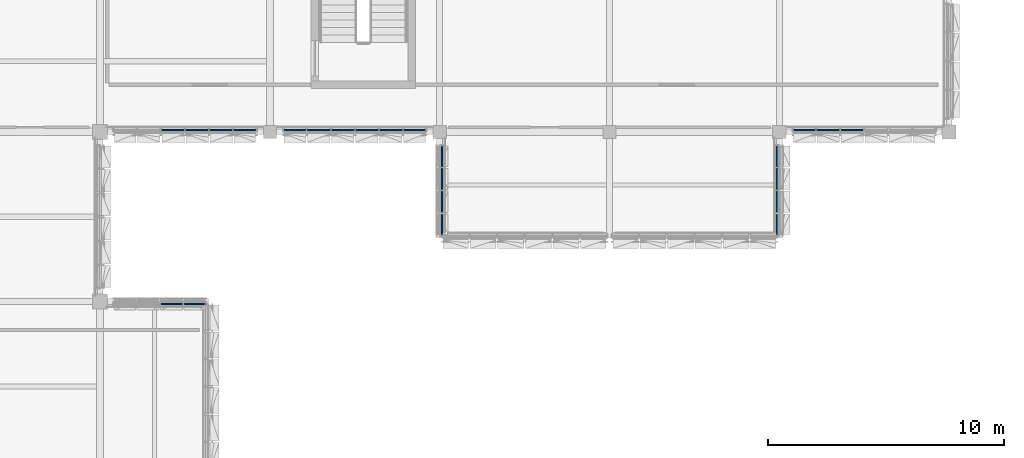
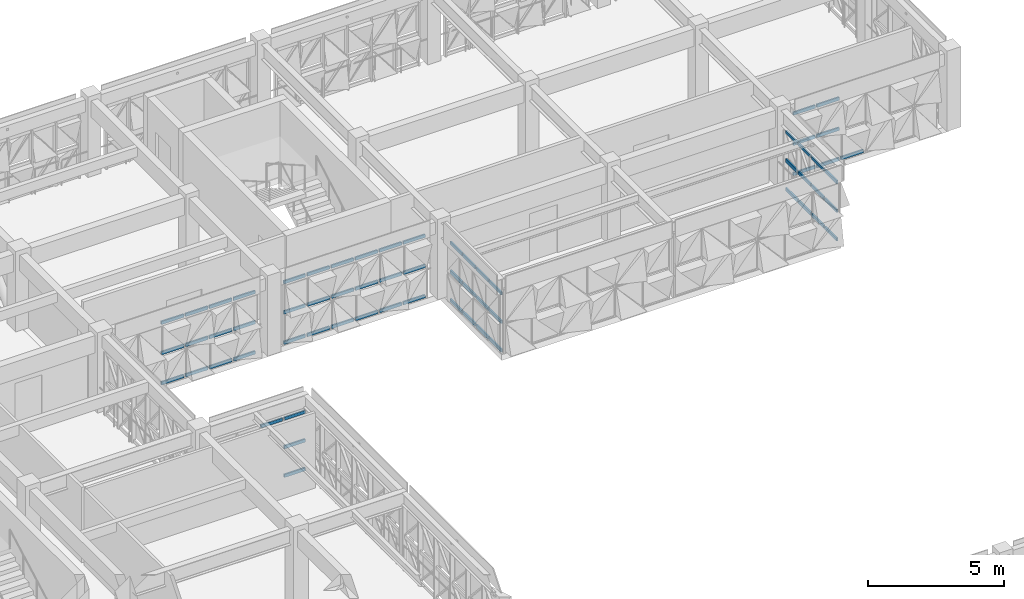
# One storey, part 25 of 85: 65 members, 6 elements without a shape of their own.
"""IFC4 building model written with IfcOpenShell, lengths in metres."""

from ifc_helpers import new_model, si_unit, direction, frame, origin, origin_2d, place, context, subcontext, project, spatial, rectangle, extrude, material, material_profile, profile_set, type_object, element, aggregate, save


model = new_model("IFC4")

# Units and contexts
model_context = context("Model", 3, precision=1e-05, world=origin(), true_north=direction((0.0, 1.0)))
body_context = subcontext(model_context, "Body", "Model", "MODEL_VIEW")
ifc_project = project(units=[si_unit("LENGTHUNIT", "METRE"), si_unit("AREAUNIT", "SQUARE_METRE"), si_unit("VOLUMEUNIT", "CUBIC_METRE"), si_unit("PLANEANGLEUNIT", "RADIAN"), si_unit("MASSUNIT", "GRAM", prefix="KILO")], contexts=[model_context])

# Site, building, storey
site_placement = place(None, origin())
site = spatial("IfcSite", under=ifc_project, at=site_placement, CompositionType="ELEMENT")
building_placement = place(site_placement, origin())
building = spatial("IfcBuilding", under=site, at=building_placement, Name="Alvorim Cloister Faculty of Sciences", CompositionType="ELEMENT")
storey_placement = place(building_placement, frame((0.0, 0.0, 8.550048828125)))
storey = spatial("IfcBuildingStorey", under=building, at=storey_placement, Name="L02", CompositionType="ELEMENT", Elevation=8.550048828125)

# Curtain wall, members
ifc_material_1 = material(Name="Aluminium and Low-E Glass Curtain Wall", Category="aluminium")
curtain_wall_type_1 = type_object("IfcCurtainWallType", Name="CW-TRI-6120x2850", PredefinedType="USERDEFINED", material=ifc_material_1)
curtain_wall_1_placement = place(storey_placement, origin())
curtain_wall_1 = element("IfcCurtainWall", 1, at=curtain_wall_1_placement, inside=storey, type_object=curtain_wall_type_1, Name="L02 Diagonal Cassette Curtain Wall CW-0063", ObjectType="UNITISED CURTAIN WALL", PredefinedType="USERDEFINED")
ifc_material_2 = material(Name="Aluminium Alloy 6063-T6", Category="aluminium")
ifc_material_profile = material_profile(ifc_material_2, rectangle(XDim=0.06494140625, YDim=0.139892578125, at=origin_2d()), Name="ALU-TRN-65x140")
ifc_profile_set = profile_set([ifc_material_profile], Name="Aluminium Alloy 6063-T6")
member_type = type_object("IfcMemberType", Name="CW-TRN-65x140", PredefinedType="USERDEFINED", material=ifc_profile_set)
member_1_placement = place(storey_placement, frame((58.205078125, 43.2900390625, 0.070068359375), z_axis=(1.0, 0.0, 0.0), x_axis=(0.0, 1.0, 0.0)))
member_1 = element("IfcMember", 2, at=member_1_placement, type_object=member_type, Name="CW-0063 Transom 1.1", ObjectType="TRANSOM", PredefinedType="USERDEFINED", context=body_context, shape_type="SweptSolid", body=[
    extrude(rectangle(XDim=0.06494140625, YDim=0.139892578125, at=origin_2d()), origin(), (0.0, 0.0, 1.0), 0.92236328125),
])
member_2_placement = place(storey_placement, frame((58.205078125, 43.2900390625, 1.425048828125), z_axis=(1.0, 0.0, 0.0), x_axis=(0.0, 1.0, 0.0)))
member_2 = element("IfcMember", 3, at=member_2_placement, type_object=member_type, Name="CW-0063 Transom 1.2", ObjectType="TRANSOM", PredefinedType="USERDEFINED", context=body_context, shape_type="SweptSolid", body=[
    extrude(rectangle(XDim=0.06494140625, YDim=0.139892578125, at=origin_2d()), origin(), (0.0, 0.0, 1.0), 0.92236328125),
])
member_3_placement = place(storey_placement, frame((58.205078125, 43.2900390625, 2.780029296875), z_axis=(1.0, 0.0, 0.0), x_axis=(0.0, 1.0, 0.0)))
member_3 = element("IfcMember", 4, at=member_3_placement, type_object=member_type, Name="CW-0063 Transom 1.3", ObjectType="TRANSOM", PredefinedType="USERDEFINED", context=body_context, shape_type="SweptSolid", body=[
    extrude(rectangle(XDim=0.06494140625, YDim=0.139892578125, at=origin_2d()), origin(), (0.0, 0.0, 1.0), 0.92236328125),
])
member_4_placement = place(storey_placement, frame((59.1923828125, 43.2900390625, 0.070068359375), z_axis=(1.0, 0.0, 0.0), x_axis=(0.0, 1.0, 0.0)))
member_4 = element("IfcMember", 5, at=member_4_placement, type_object=member_type, Name="CW-0063 Transom 2.1", ObjectType="TRANSOM", PredefinedType="USERDEFINED", context=body_context, shape_type="SweptSolid", body=[
    extrude(rectangle(XDim=0.06494140625, YDim=0.139892578125, at=origin_2d()), origin(), (0.0, 0.0, 1.0), 0.955078125),
])
member_5_placement = place(storey_placement, frame((59.1923828125, 43.2900390625, 1.425048828125), z_axis=(1.0, 0.0, 0.0), x_axis=(0.0, 1.0, 0.0)))
member_5 = element("IfcMember", 6, at=member_5_placement, type_object=member_type, Name="CW-0063 Transom 2.2", ObjectType="TRANSOM", PredefinedType="USERDEFINED", context=body_context, shape_type="SweptSolid", body=[
    extrude(rectangle(XDim=0.06494140625, YDim=0.139892578125, at=origin_2d()), origin(), (0.0, 0.0, 1.0), 0.955078125),
])
member_6_placement = place(storey_placement, frame((59.1923828125, 43.2900390625, 2.780029296875), z_axis=(1.0, 0.0, 0.0), x_axis=(0.0, 1.0, 0.0)))
member_6 = element("IfcMember", 7, at=member_6_placement, type_object=member_type, Name="CW-0063 Transom 2.3", ObjectType="TRANSOM", PredefinedType="USERDEFINED", context=body_context, shape_type="SweptSolid", body=[
    extrude(rectangle(XDim=0.06494140625, YDim=0.139892578125, at=origin_2d()), origin(), (0.0, 0.0, 1.0), 0.955078125),
])
member_7_placement = place(storey_placement, frame((60.21240234375, 43.2900390625, 0.070068359375), z_axis=(1.0, 0.0, 0.0), x_axis=(0.0, 1.0, 0.0)))
member_7 = element("IfcMember", 8, at=member_7_placement, type_object=member_type, Name="CW-0063 Transom 3.1", ObjectType="TRANSOM", PredefinedType="USERDEFINED", context=body_context, shape_type="SweptSolid", body=[
    extrude(rectangle(XDim=0.06494140625, YDim=0.139892578125, at=origin_2d()), origin(), (0.0, 0.0, 1.0), 0.955078125),
])
aggregate(curtain_wall_1, [member_1, member_2, member_3, member_4, member_5, member_6, member_7])

curtain_wall_type_2 = type_object("IfcCurtainWallType", Name="CW-TRI-3880x2706", PredefinedType="USERDEFINED", material=ifc_material_1)
curtain_wall_2_placement = place(storey_placement, origin())
curtain_wall_2 = element("IfcCurtainWall", 9, at=curtain_wall_2_placement, inside=storey, type_object=curtain_wall_type_2, Name="L02 Diagonal Cassette Curtain Wall CW-0064", ObjectType="UNITISED CURTAIN WALL", PredefinedType="USERDEFINED")
member_8_placement = place(storey_placement, frame((57.510009765625, 38.844970703125, 0.070068359375), z_axis=(0.0, 1.0, 0.0), x_axis=(-1.0, 0.0, 0.0)))
member_8 = element("IfcMember", 10, at=member_8_placement, type_object=member_type, Name="CW-0064 Transom 1.1", ObjectType="TRANSOM", PredefinedType="USERDEFINED", context=body_context, shape_type="SweptSolid", body=[
    extrude(rectangle(XDim=0.06494140625, YDim=0.139892578125, at=origin_2d()), origin(), (0.0, 0.0, 1.0), 0.87255859375),
])
member_9_placement = place(storey_placement, frame((57.510009765625, 38.844970703125, 1.35302734375), z_axis=(0.0, 1.0, 0.0), x_axis=(-1.0, 0.0, 0.0)))
member_9 = element("IfcMember", 11, at=member_9_placement, type_object=member_type, Name="CW-0064 Transom 1.2", ObjectType="TRANSOM", PredefinedType="USERDEFINED", context=body_context, shape_type="SweptSolid", body=[
    extrude(rectangle(XDim=0.06494140625, YDim=0.139892578125, at=origin_2d()), origin(), (0.0, 0.0, 1.0), 0.87255859375),
])
member_10_placement = place(storey_placement, frame((57.510009765625, 38.844970703125, 2.635986328125), z_axis=(0.0, 1.0, 0.0), x_axis=(-1.0, 0.0, 0.0)))
member_10 = element("IfcMember", 12, at=member_10_placement, type_object=member_type, Name="CW-0064 Transom 1.3", ObjectType="TRANSOM", PredefinedType="USERDEFINED", context=body_context, shape_type="SweptSolid", body=[
    extrude(rectangle(XDim=0.06494140625, YDim=0.139892578125, at=origin_2d()), origin(), (0.0, 0.0, 1.0), 0.87255859375),
])
member_11_placement = place(storey_placement, frame((57.510009765625, 39.782470703125, 0.070068359375), z_axis=(0.0, 1.0, 0.0), x_axis=(-1.0, 0.0, 0.0)))
member_11 = element("IfcMember", 13, at=member_11_placement, type_object=member_type, Name="CW-0064 Transom 2.1", ObjectType="TRANSOM", PredefinedType="USERDEFINED", context=body_context, shape_type="SweptSolid", body=[
    extrude(rectangle(XDim=0.06494140625, YDim=0.139892578125, at=origin_2d()), origin(), (0.0, 0.0, 1.0), 0.905029296875),
])
member_12_placement = place(storey_placement, frame((57.510009765625, 39.782470703125, 1.35302734375), z_axis=(0.0, 1.0, 0.0), x_axis=(-1.0, 0.0, 0.0)))
member_12 = element("IfcMember", 14, at=member_12_placement, type_object=member_type, Name="CW-0064 Transom 2.2", ObjectType="TRANSOM", PredefinedType="USERDEFINED", context=body_context, shape_type="SweptSolid", body=[
    extrude(rectangle(XDim=0.06494140625, YDim=0.139892578125, at=origin_2d()), origin(), (0.0, 0.0, 1.0), 0.905029296875),
])
member_13_placement = place(storey_placement, frame((57.510009765625, 39.782470703125, 2.635986328125), z_axis=(0.0, 1.0, 0.0), x_axis=(-1.0, 0.0, 0.0)))
member_13 = element("IfcMember", 15, at=member_13_placement, type_object=member_type, Name="CW-0064 Transom 2.3", ObjectType="TRANSOM", PredefinedType="USERDEFINED", context=body_context, shape_type="SweptSolid", body=[
    extrude(rectangle(XDim=0.06494140625, YDim=0.139892578125, at=origin_2d()), origin(), (0.0, 0.0, 1.0), 0.905029296875),
])
member_14_placement = place(storey_placement, frame((57.510009765625, 40.75244140625, 0.070068359375), z_axis=(0.0, 1.0, 0.0), x_axis=(-1.0, 0.0, 0.0)))
member_14 = element("IfcMember", 16, at=member_14_placement, type_object=member_type, Name="CW-0064 Transom 3.1", ObjectType="TRANSOM", PredefinedType="USERDEFINED", context=body_context, shape_type="SweptSolid", body=[
    extrude(rectangle(XDim=0.06494140625, YDim=0.139892578125, at=origin_2d()), origin(), (0.0, 0.0, 1.0), 0.905029296875),
])
member_15_placement = place(storey_placement, frame((57.510009765625, 40.75244140625, 1.35302734375), z_axis=(0.0, 1.0, 0.0), x_axis=(-1.0, 0.0, 0.0)))
member_15 = element("IfcMember", 17, at=member_15_placement, type_object=member_type, Name="CW-0064 Transom 3.2", ObjectType="TRANSOM", PredefinedType="USERDEFINED", context=body_context, shape_type="SweptSolid", body=[
    extrude(rectangle(XDim=0.06494140625, YDim=0.139892578125, at=origin_2d()), origin(), (0.0, 0.0, 1.0), 0.905029296875),
])
member_16_placement = place(storey_placement, frame((57.510009765625, 40.75244140625, 2.635986328125), z_axis=(0.0, 1.0, 0.0), x_axis=(-1.0, 0.0, 0.0)))
member_16 = element("IfcMember", 18, at=member_16_placement, type_object=member_type, Name="CW-0064 Transom 3.3", ObjectType="TRANSOM", PredefinedType="USERDEFINED", context=body_context, shape_type="SweptSolid", body=[
    extrude(rectangle(XDim=0.06494140625, YDim=0.139892578125, at=origin_2d()), origin(), (0.0, 0.0, 1.0), 0.905029296875),
])
member_17_placement = place(storey_placement, frame((57.510009765625, 41.722412109375, 0.070068359375), z_axis=(0.0, 1.0, 0.0), x_axis=(-1.0, 0.0, 0.0)))
member_17 = element("IfcMember", 19, at=member_17_placement, type_object=member_type, Name="CW-0064 Transom 4.1", ObjectType="TRANSOM", PredefinedType="USERDEFINED", context=body_context, shape_type="SweptSolid", body=[
    extrude(rectangle(XDim=0.06494140625, YDim=0.139892578125, at=origin_2d()), origin(), (0.0, 0.0, 1.0), 0.87255859375),
])
member_18_placement = place(storey_placement, frame((57.510009765625, 41.722412109375, 1.35302734375), z_axis=(0.0, 1.0, 0.0), x_axis=(-1.0, 0.0, 0.0)))
member_18 = element("IfcMember", 20, at=member_18_placement, type_object=member_type, Name="CW-0064 Transom 4.2", ObjectType="TRANSOM", PredefinedType="USERDEFINED", context=body_context, shape_type="SweptSolid", body=[
    extrude(rectangle(XDim=0.06494140625, YDim=0.139892578125, at=origin_2d()), origin(), (0.0, 0.0, 1.0), 0.87255859375),
])
member_19_placement = place(storey_placement, frame((57.510009765625, 41.722412109375, 2.635986328125), z_axis=(0.0, 1.0, 0.0), x_axis=(-1.0, 0.0, 0.0)))
member_19 = element("IfcMember", 21, at=member_19_placement, type_object=member_type, Name="CW-0064 Transom 4.3", ObjectType="TRANSOM", PredefinedType="USERDEFINED", context=body_context, shape_type="SweptSolid", body=[
    extrude(rectangle(XDim=0.06494140625, YDim=0.139892578125, at=origin_2d()), origin(), (0.0, 0.0, 1.0), 0.87255859375),
])
aggregate(curtain_wall_2, [member_8, member_9, member_10, member_11, member_12, member_13, member_14, member_15, member_16, member_17, member_18, member_19])

curtain_wall_3_placement = place(storey_placement, origin())
curtain_wall_3 = element("IfcCurtainWall", 22, at=curtain_wall_3_placement, inside=storey, type_object=curtain_wall_type_2, Name="L02 Diagonal Cassette Curtain Wall CW-0067", ObjectType="UNITISED CURTAIN WALL", PredefinedType="USERDEFINED")
member_20_placement = place(storey_placement, frame((43.2900390625, 38.844970703125, 0.070068359375), z_axis=(0.0, 1.0, 0.0), x_axis=(-1.0, 0.0, 0.0)))
member_20 = element("IfcMember", 23, at=member_20_placement, type_object=member_type, Name="CW-0067 Transom 1.1", ObjectType="TRANSOM", PredefinedType="USERDEFINED", context=body_context, shape_type="SweptSolid", body=[
    extrude(rectangle(XDim=0.06494140625, YDim=0.139892578125, at=origin_2d()), origin(), (0.0, 0.0, 1.0), 0.87255859375),
])
member_21_placement = place(storey_placement, frame((43.2900390625, 38.844970703125, 1.35302734375), z_axis=(0.0, 1.0, 0.0), x_axis=(-1.0, 0.0, 0.0)))
member_21 = element("IfcMember", 24, at=member_21_placement, type_object=member_type, Name="CW-0067 Transom 1.2", ObjectType="TRANSOM", PredefinedType="USERDEFINED", context=body_context, shape_type="SweptSolid", body=[
    extrude(rectangle(XDim=0.06494140625, YDim=0.139892578125, at=origin_2d()), origin(), (0.0, 0.0, 1.0), 0.87255859375),
])
member_22_placement = place(storey_placement, frame((43.2900390625, 38.844970703125, 2.635986328125), z_axis=(0.0, 1.0, 0.0), x_axis=(-1.0, 0.0, 0.0)))
member_22 = element("IfcMember", 25, at=member_22_placement, type_object=member_type, Name="CW-0067 Transom 1.3", ObjectType="TRANSOM", PredefinedType="USERDEFINED", context=body_context, shape_type="SweptSolid", body=[
    extrude(rectangle(XDim=0.06494140625, YDim=0.139892578125, at=origin_2d()), origin(), (0.0, 0.0, 1.0), 0.87255859375),
])
member_23_placement = place(storey_placement, frame((43.2900390625, 39.782470703125, 0.070068359375), z_axis=(0.0, 1.0, 0.0), x_axis=(-1.0, 0.0, 0.0)))
member_23 = element("IfcMember", 26, at=member_23_placement, type_object=member_type, Name="CW-0067 Transom 2.1", ObjectType="TRANSOM", PredefinedType="USERDEFINED", context=body_context, shape_type="SweptSolid", body=[
    extrude(rectangle(XDim=0.06494140625, YDim=0.139892578125, at=origin_2d()), origin(), (0.0, 0.0, 1.0), 0.905029296875),
])
member_24_placement = place(storey_placement, frame((43.2900390625, 39.782470703125, 1.35302734375), z_axis=(0.0, 1.0, 0.0), x_axis=(-1.0, 0.0, 0.0)))
member_24 = element("IfcMember", 27, at=member_24_placement, type_object=member_type, Name="CW-0067 Transom 2.2", ObjectType="TRANSOM", PredefinedType="USERDEFINED", context=body_context, shape_type="SweptSolid", body=[
    extrude(rectangle(XDim=0.06494140625, YDim=0.139892578125, at=origin_2d()), origin(), (0.0, 0.0, 1.0), 0.905029296875),
])
member_25_placement = place(storey_placement, frame((43.2900390625, 39.782470703125, 2.635986328125), z_axis=(0.0, 1.0, 0.0), x_axis=(-1.0, 0.0, 0.0)))
member_25 = element("IfcMember", 28, at=member_25_placement, type_object=member_type, Name="CW-0067 Transom 2.3", ObjectType="TRANSOM", PredefinedType="USERDEFINED", context=body_context, shape_type="SweptSolid", body=[
    extrude(rectangle(XDim=0.06494140625, YDim=0.139892578125, at=origin_2d()), origin(), (0.0, 0.0, 1.0), 0.905029296875),
])
member_26_placement = place(storey_placement, frame((43.2900390625, 40.75244140625, 0.070068359375), z_axis=(0.0, 1.0, 0.0), x_axis=(-1.0, 0.0, 0.0)))
member_26 = element("IfcMember", 29, at=member_26_placement, type_object=member_type, Name="CW-0067 Transom 3.1", ObjectType="TRANSOM", PredefinedType="USERDEFINED", context=body_context, shape_type="SweptSolid", body=[
    extrude(rectangle(XDim=0.06494140625, YDim=0.139892578125, at=origin_2d()), origin(), (0.0, 0.0, 1.0), 0.905029296875),
])
member_27_placement = place(storey_placement, frame((43.2900390625, 40.75244140625, 1.35302734375), z_axis=(0.0, 1.0, 0.0), x_axis=(-1.0, 0.0, 0.0)))
member_27 = element("IfcMember", 30, at=member_27_placement, type_object=member_type, Name="CW-0067 Transom 3.2", ObjectType="TRANSOM", PredefinedType="USERDEFINED", context=body_context, shape_type="SweptSolid", body=[
    extrude(rectangle(XDim=0.06494140625, YDim=0.139892578125, at=origin_2d()), origin(), (0.0, 0.0, 1.0), 0.905029296875),
])
member_28_placement = place(storey_placement, frame((43.2900390625, 40.75244140625, 2.635986328125), z_axis=(0.0, 1.0, 0.0), x_axis=(-1.0, 0.0, 0.0)))
member_28 = element("IfcMember", 31, at=member_28_placement, type_object=member_type, Name="CW-0067 Transom 3.3", ObjectType="TRANSOM", PredefinedType="USERDEFINED", context=body_context, shape_type="SweptSolid", body=[
    extrude(rectangle(XDim=0.06494140625, YDim=0.139892578125, at=origin_2d()), origin(), (0.0, 0.0, 1.0), 0.905029296875),
])
member_29_placement = place(storey_placement, frame((43.2900390625, 41.722412109375, 0.070068359375), z_axis=(0.0, 1.0, 0.0), x_axis=(-1.0, 0.0, 0.0)))
member_29 = element("IfcMember", 32, at=member_29_placement, type_object=member_type, Name="CW-0067 Transom 4.1", ObjectType="TRANSOM", PredefinedType="USERDEFINED", context=body_context, shape_type="SweptSolid", body=[
    extrude(rectangle(XDim=0.06494140625, YDim=0.139892578125, at=origin_2d()), origin(), (0.0, 0.0, 1.0), 0.87255859375),
])
member_30_placement = place(storey_placement, frame((43.2900390625, 41.722412109375, 1.35302734375), z_axis=(0.0, 1.0, 0.0), x_axis=(-1.0, 0.0, 0.0)))
member_30 = element("IfcMember", 33, at=member_30_placement, type_object=member_type, Name="CW-0067 Transom 4.2", ObjectType="TRANSOM", PredefinedType="USERDEFINED", context=body_context, shape_type="SweptSolid", body=[
    extrude(rectangle(XDim=0.06494140625, YDim=0.139892578125, at=origin_2d()), origin(), (0.0, 0.0, 1.0), 0.87255859375),
])
member_31_placement = place(storey_placement, frame((43.2900390625, 41.722412109375, 2.635986328125), z_axis=(0.0, 1.0, 0.0), x_axis=(-1.0, 0.0, 0.0)))
member_31 = element("IfcMember", 34, at=member_31_placement, type_object=member_type, Name="CW-0067 Transom 4.3", ObjectType="TRANSOM", PredefinedType="USERDEFINED", context=body_context, shape_type="SweptSolid", body=[
    extrude(rectangle(XDim=0.06494140625, YDim=0.139892578125, at=origin_2d()), origin(), (0.0, 0.0, 1.0), 0.87255859375),
])
aggregate(curtain_wall_3, [member_20, member_21, member_22, member_23, member_24, member_25, member_26, member_27, member_28, member_29, member_30, member_31])

curtain_wall_4_placement = place(storey_placement, origin())
curtain_wall_4 = element("IfcCurtainWall", 35, at=curtain_wall_4_placement, inside=storey, type_object=curtain_wall_type_1, Name="L02 Diagonal Cassette Curtain Wall CW-0068", ObjectType="UNITISED CURTAIN WALL", PredefinedType="USERDEFINED")
member_32_placement = place(storey_placement, frame((36.60498046875, 43.2900390625, 0.070068359375), z_axis=(1.0, 0.0, 0.0), x_axis=(0.0, 1.0, 0.0)))
member_32 = element("IfcMember", 36, at=member_32_placement, type_object=member_type, Name="CW-0068 Transom 1.1", ObjectType="TRANSOM", PredefinedType="USERDEFINED", context=body_context, shape_type="SweptSolid", body=[
    extrude(rectangle(XDim=0.06494140625, YDim=0.139892578125, at=origin_2d()), origin(), (0.0, 0.0, 1.0), 0.922607421875),
])
member_33_placement = place(storey_placement, frame((36.60498046875, 43.2900390625, 1.425048828125), z_axis=(1.0, 0.0, 0.0), x_axis=(0.0, 1.0, 0.0)))
member_33 = element("IfcMember", 37, at=member_33_placement, type_object=member_type, Name="CW-0068 Transom 1.2", ObjectType="TRANSOM", PredefinedType="USERDEFINED", context=body_context, shape_type="SweptSolid", body=[
    extrude(rectangle(XDim=0.06494140625, YDim=0.139892578125, at=origin_2d()), origin(), (0.0, 0.0, 1.0), 0.922607421875),
])
member_34_placement = place(storey_placement, frame((36.60498046875, 43.2900390625, 2.780029296875), z_axis=(1.0, 0.0, 0.0), x_axis=(0.0, 1.0, 0.0)))
member_34 = element("IfcMember", 38, at=member_34_placement, type_object=member_type, Name="CW-0068 Transom 1.3", ObjectType="TRANSOM", PredefinedType="USERDEFINED", context=body_context, shape_type="SweptSolid", body=[
    extrude(rectangle(XDim=0.06494140625, YDim=0.139892578125, at=origin_2d()), origin(), (0.0, 0.0, 1.0), 0.922607421875),
])
member_35_placement = place(storey_placement, frame((37.592529296875, 43.2900390625, 0.070068359375), z_axis=(1.0, 0.0, 0.0), x_axis=(0.0, 1.0, 0.0)))
member_35 = element("IfcMember", 39, at=member_35_placement, type_object=member_type, Name="CW-0068 Transom 2.1", ObjectType="TRANSOM", PredefinedType="USERDEFINED", context=body_context, shape_type="SweptSolid", body=[
    extrude(rectangle(XDim=0.06494140625, YDim=0.139892578125, at=origin_2d()), origin(), (0.0, 0.0, 1.0), 0.955078125),
])
member_36_placement = place(storey_placement, frame((37.592529296875, 43.2900390625, 1.425048828125), z_axis=(1.0, 0.0, 0.0), x_axis=(0.0, 1.0, 0.0)))
member_36 = element("IfcMember", 40, at=member_36_placement, type_object=member_type, Name="CW-0068 Transom 2.2", ObjectType="TRANSOM", PredefinedType="USERDEFINED", context=body_context, shape_type="SweptSolid", body=[
    extrude(rectangle(XDim=0.06494140625, YDim=0.139892578125, at=origin_2d()), origin(), (0.0, 0.0, 1.0), 0.955078125),
])
member_37_placement = place(storey_placement, frame((37.592529296875, 43.2900390625, 2.780029296875), z_axis=(1.0, 0.0, 0.0), x_axis=(0.0, 1.0, 0.0)))
member_37 = element("IfcMember", 41, at=member_37_placement, type_object=member_type, Name="CW-0068 Transom 2.3", ObjectType="TRANSOM", PredefinedType="USERDEFINED", context=body_context, shape_type="SweptSolid", body=[
    extrude(rectangle(XDim=0.06494140625, YDim=0.139892578125, at=origin_2d()), origin(), (0.0, 0.0, 1.0), 0.955078125),
])
member_38_placement = place(storey_placement, frame((38.612548828125, 43.2900390625, 0.070068359375), z_axis=(1.0, 0.0, 0.0), x_axis=(0.0, 1.0, 0.0)))
member_38 = element("IfcMember", 42, at=member_38_placement, type_object=member_type, Name="CW-0068 Transom 3.1", ObjectType="TRANSOM", PredefinedType="USERDEFINED", context=body_context, shape_type="SweptSolid", body=[
    extrude(rectangle(XDim=0.06494140625, YDim=0.139892578125, at=origin_2d()), origin(), (0.0, 0.0, 1.0), 0.954833984375),
])
member_39_placement = place(storey_placement, frame((38.612548828125, 43.2900390625, 1.425048828125), z_axis=(1.0, 0.0, 0.0), x_axis=(0.0, 1.0, 0.0)))
member_39 = element("IfcMember", 43, at=member_39_placement, type_object=member_type, Name="CW-0068 Transom 3.2", ObjectType="TRANSOM", PredefinedType="USERDEFINED", context=body_context, shape_type="SweptSolid", body=[
    extrude(rectangle(XDim=0.06494140625, YDim=0.139892578125, at=origin_2d()), origin(), (0.0, 0.0, 1.0), 0.954833984375),
])
member_40_placement = place(storey_placement, frame((38.612548828125, 43.2900390625, 2.780029296875), z_axis=(1.0, 0.0, 0.0), x_axis=(0.0, 1.0, 0.0)))
member_40 = element("IfcMember", 44, at=member_40_placement, type_object=member_type, Name="CW-0068 Transom 3.3", ObjectType="TRANSOM", PredefinedType="USERDEFINED", context=body_context, shape_type="SweptSolid", body=[
    extrude(rectangle(XDim=0.06494140625, YDim=0.139892578125, at=origin_2d()), origin(), (0.0, 0.0, 1.0), 0.954833984375),
])
member_41_placement = place(storey_placement, frame((39.632568359375, 43.2900390625, 0.070068359375), z_axis=(1.0, 0.0, 0.0), x_axis=(0.0, 1.0, 0.0)))
member_41 = element("IfcMember", 45, at=member_41_placement, type_object=member_type, Name="CW-0068 Transom 4.1", ObjectType="TRANSOM", PredefinedType="USERDEFINED", context=body_context, shape_type="SweptSolid", body=[
    extrude(rectangle(XDim=0.06494140625, YDim=0.139892578125, at=origin_2d()), origin(), (0.0, 0.0, 1.0), 0.954833984375),
])
member_42_placement = place(storey_placement, frame((39.632568359375, 43.2900390625, 1.425048828125), z_axis=(1.0, 0.0, 0.0), x_axis=(0.0, 1.0, 0.0)))
member_42 = element("IfcMember", 46, at=member_42_placement, type_object=member_type, Name="CW-0068 Transom 4.2", ObjectType="TRANSOM", PredefinedType="USERDEFINED", context=body_context, shape_type="SweptSolid", body=[
    extrude(rectangle(XDim=0.06494140625, YDim=0.139892578125, at=origin_2d()), origin(), (0.0, 0.0, 1.0), 0.954833984375),
])
member_43_placement = place(storey_placement, frame((39.632568359375, 43.2900390625, 2.780029296875), z_axis=(1.0, 0.0, 0.0), x_axis=(0.0, 1.0, 0.0)))
member_43 = element("IfcMember", 47, at=member_43_placement, type_object=member_type, Name="CW-0068 Transom 4.3", ObjectType="TRANSOM", PredefinedType="USERDEFINED", context=body_context, shape_type="SweptSolid", body=[
    extrude(rectangle(XDim=0.06494140625, YDim=0.139892578125, at=origin_2d()), origin(), (0.0, 0.0, 1.0), 0.954833984375),
])
member_44_placement = place(storey_placement, frame((40.652587890625, 43.2900390625, 0.070068359375), z_axis=(1.0, 0.0, 0.0), x_axis=(0.0, 1.0, 0.0)))
member_44 = element("IfcMember", 48, at=member_44_placement, type_object=member_type, Name="CW-0068 Transom 5.1", ObjectType="TRANSOM", PredefinedType="USERDEFINED", context=body_context, shape_type="SweptSolid", body=[
    extrude(rectangle(XDim=0.06494140625, YDim=0.139892578125, at=origin_2d()), origin(), (0.0, 0.0, 1.0), 0.954833984375),
])
member_45_placement = place(storey_placement, frame((40.652587890625, 43.2900390625, 1.425048828125), z_axis=(1.0, 0.0, 0.0), x_axis=(0.0, 1.0, 0.0)))
member_45 = element("IfcMember", 49, at=member_45_placement, type_object=member_type, Name="CW-0068 Transom 5.2", ObjectType="TRANSOM", PredefinedType="USERDEFINED", context=body_context, shape_type="SweptSolid", body=[
    extrude(rectangle(XDim=0.06494140625, YDim=0.139892578125, at=origin_2d()), origin(), (0.0, 0.0, 1.0), 0.954833984375),
])
member_46_placement = place(storey_placement, frame((40.652587890625, 43.2900390625, 2.780029296875), z_axis=(1.0, 0.0, 0.0), x_axis=(0.0, 1.0, 0.0)))
member_46 = element("IfcMember", 50, at=member_46_placement, type_object=member_type, Name="CW-0068 Transom 5.3", ObjectType="TRANSOM", PredefinedType="USERDEFINED", context=body_context, shape_type="SweptSolid", body=[
    extrude(rectangle(XDim=0.06494140625, YDim=0.139892578125, at=origin_2d()), origin(), (0.0, 0.0, 1.0), 0.954833984375),
])
member_47_placement = place(storey_placement, frame((41.672607421875, 43.2900390625, 0.070068359375), z_axis=(1.0, 0.0, 0.0), x_axis=(0.0, 1.0, 0.0)))
member_47 = element("IfcMember", 51, at=member_47_placement, type_object=member_type, Name="CW-0068 Transom 6.1", ObjectType="TRANSOM", PredefinedType="USERDEFINED", context=body_context, shape_type="SweptSolid", body=[
    extrude(rectangle(XDim=0.06494140625, YDim=0.139892578125, at=origin_2d()), origin(), (0.0, 0.0, 1.0), 0.92236328125),
])
member_48_placement = place(storey_placement, frame((41.672607421875, 43.2900390625, 1.425048828125), z_axis=(1.0, 0.0, 0.0), x_axis=(0.0, 1.0, 0.0)))
member_48 = element("IfcMember", 52, at=member_48_placement, type_object=member_type, Name="CW-0068 Transom 6.2", ObjectType="TRANSOM", PredefinedType="USERDEFINED", context=body_context, shape_type="SweptSolid", body=[
    extrude(rectangle(XDim=0.06494140625, YDim=0.139892578125, at=origin_2d()), origin(), (0.0, 0.0, 1.0), 0.92236328125),
])
member_49_placement = place(storey_placement, frame((41.672607421875, 43.2900390625, 2.780029296875), z_axis=(1.0, 0.0, 0.0), x_axis=(0.0, 1.0, 0.0)))
member_49 = element("IfcMember", 53, at=member_49_placement, type_object=member_type, Name="CW-0068 Transom 6.3", ObjectType="TRANSOM", PredefinedType="USERDEFINED", context=body_context, shape_type="SweptSolid", body=[
    extrude(rectangle(XDim=0.06494140625, YDim=0.139892578125, at=origin_2d()), origin(), (0.0, 0.0, 1.0), 0.92236328125),
])
aggregate(curtain_wall_4, [member_32, member_33, member_34, member_35, member_36, member_37, member_38, member_39, member_40, member_41, member_42, member_43, member_44, member_45, member_46, member_47, member_48, member_49])

curtain_wall_5_placement = place(storey_placement, origin())
curtain_wall_5 = element("IfcCurtainWall", 54, at=curtain_wall_5_placement, inside=storey, type_object=curtain_wall_type_1, Name="L02 Diagonal Cassette Curtain Wall CW-0069", ObjectType="UNITISED CURTAIN WALL", PredefinedType="USERDEFINED")
member_50_placement = place(storey_placement, frame((31.41259765625, 43.2900390625, 0.070068359375), z_axis=(1.0, 0.0, 0.0), x_axis=(0.0, 1.0, 0.0)))
member_50 = element("IfcMember", 55, at=member_50_placement, type_object=member_type, Name="CW-0069 Transom 3.1", ObjectType="TRANSOM", PredefinedType="USERDEFINED", context=body_context, shape_type="SweptSolid", body=[
    extrude(rectangle(XDim=0.06494140625, YDim=0.139892578125, at=origin_2d()), origin(), (0.0, 0.0, 1.0), 0.954833984375),
])
member_51_placement = place(storey_placement, frame((31.41259765625, 43.2900390625, 1.425048828125), z_axis=(1.0, 0.0, 0.0), x_axis=(0.0, 1.0, 0.0)))
member_51 = element("IfcMember", 56, at=member_51_placement, type_object=member_type, Name="CW-0069 Transom 3.2", ObjectType="TRANSOM", PredefinedType="USERDEFINED", context=body_context, shape_type="SweptSolid", body=[
    extrude(rectangle(XDim=0.06494140625, YDim=0.139892578125, at=origin_2d()), origin(), (0.0, 0.0, 1.0), 0.954833984375),
])
member_52_placement = place(storey_placement, frame((31.41259765625, 43.2900390625, 2.780029296875), z_axis=(1.0, 0.0, 0.0), x_axis=(0.0, 1.0, 0.0)))
member_52 = element("IfcMember", 57, at=member_52_placement, type_object=member_type, Name="CW-0069 Transom 3.3", ObjectType="TRANSOM", PredefinedType="USERDEFINED", context=body_context, shape_type="SweptSolid", body=[
    extrude(rectangle(XDim=0.06494140625, YDim=0.139892578125, at=origin_2d()), origin(), (0.0, 0.0, 1.0), 0.954833984375),
])
member_53_placement = place(storey_placement, frame((32.4326171875, 43.2900390625, 0.070068359375), z_axis=(1.0, 0.0, 0.0), x_axis=(0.0, 1.0, 0.0)))
member_53 = element("IfcMember", 58, at=member_53_placement, type_object=member_type, Name="CW-0069 Transom 4.1", ObjectType="TRANSOM", PredefinedType="USERDEFINED", context=body_context, shape_type="SweptSolid", body=[
    extrude(rectangle(XDim=0.06494140625, YDim=0.139892578125, at=origin_2d()), origin(), (0.0, 0.0, 1.0), 0.954833984375),
])
member_54_placement = place(storey_placement, frame((32.4326171875, 43.2900390625, 1.425048828125), z_axis=(1.0, 0.0, 0.0), x_axis=(0.0, 1.0, 0.0)))
member_54 = element("IfcMember", 59, at=member_54_placement, type_object=member_type, Name="CW-0069 Transom 4.2", ObjectType="TRANSOM", PredefinedType="USERDEFINED", context=body_context, shape_type="SweptSolid", body=[
    extrude(rectangle(XDim=0.06494140625, YDim=0.139892578125, at=origin_2d()), origin(), (0.0, 0.0, 1.0), 0.954833984375),
])
member_55_placement = place(storey_placement, frame((32.4326171875, 43.2900390625, 2.780029296875), z_axis=(1.0, 0.0, 0.0), x_axis=(0.0, 1.0, 0.0)))
member_55 = element("IfcMember", 60, at=member_55_placement, type_object=member_type, Name="CW-0069 Transom 4.3", ObjectType="TRANSOM", PredefinedType="USERDEFINED", context=body_context, shape_type="SweptSolid", body=[
    extrude(rectangle(XDim=0.06494140625, YDim=0.139892578125, at=origin_2d()), origin(), (0.0, 0.0, 1.0), 0.954833984375),
])
member_56_placement = place(storey_placement, frame((33.452392578125, 43.2900390625, 0.070068359375), z_axis=(1.0, 0.0, 0.0), x_axis=(0.0, 1.0, 0.0)))
member_56 = element("IfcMember", 61, at=member_56_placement, type_object=member_type, Name="CW-0069 Transom 5.1", ObjectType="TRANSOM", PredefinedType="USERDEFINED", context=body_context, shape_type="SweptSolid", body=[
    extrude(rectangle(XDim=0.06494140625, YDim=0.139892578125, at=origin_2d()), origin(), (0.0, 0.0, 1.0), 0.955078125),
])
member_57_placement = place(storey_placement, frame((33.452392578125, 43.2900390625, 1.425048828125), z_axis=(1.0, 0.0, 0.0), x_axis=(0.0, 1.0, 0.0)))
member_57 = element("IfcMember", 62, at=member_57_placement, type_object=member_type, Name="CW-0069 Transom 5.2", ObjectType="TRANSOM", PredefinedType="USERDEFINED", context=body_context, shape_type="SweptSolid", body=[
    extrude(rectangle(XDim=0.06494140625, YDim=0.139892578125, at=origin_2d()), origin(), (0.0, 0.0, 1.0), 0.955078125),
])
member_58_placement = place(storey_placement, frame((33.452392578125, 43.2900390625, 2.780029296875), z_axis=(1.0, 0.0, 0.0), x_axis=(0.0, 1.0, 0.0)))
member_58 = element("IfcMember", 63, at=member_58_placement, type_object=member_type, Name="CW-0069 Transom 5.3", ObjectType="TRANSOM", PredefinedType="USERDEFINED", context=body_context, shape_type="SweptSolid", body=[
    extrude(rectangle(XDim=0.06494140625, YDim=0.139892578125, at=origin_2d()), origin(), (0.0, 0.0, 1.0), 0.955078125),
])
member_59_placement = place(storey_placement, frame((34.472412109375, 43.2900390625, 0.070068359375), z_axis=(1.0, 0.0, 0.0), x_axis=(0.0, 1.0, 0.0)))
member_59 = element("IfcMember", 64, at=member_59_placement, type_object=member_type, Name="CW-0069 Transom 6.1", ObjectType="TRANSOM", PredefinedType="USERDEFINED", context=body_context, shape_type="SweptSolid", body=[
    extrude(rectangle(XDim=0.06494140625, YDim=0.139892578125, at=origin_2d()), origin(), (0.0, 0.0, 1.0), 0.922607421875),
])
member_60_placement = place(storey_placement, frame((34.472412109375, 43.2900390625, 1.425048828125), z_axis=(1.0, 0.0, 0.0), x_axis=(0.0, 1.0, 0.0)))
member_60 = element("IfcMember", 65, at=member_60_placement, type_object=member_type, Name="CW-0069 Transom 6.2", ObjectType="TRANSOM", PredefinedType="USERDEFINED", context=body_context, shape_type="SweptSolid", body=[
    extrude(rectangle(XDim=0.06494140625, YDim=0.139892578125, at=origin_2d()), origin(), (0.0, 0.0, 1.0), 0.922607421875),
])
member_61_placement = place(storey_placement, frame((34.472412109375, 43.2900390625, 2.780029296875), z_axis=(1.0, 0.0, 0.0), x_axis=(0.0, 1.0, 0.0)))
member_61 = element("IfcMember", 66, at=member_61_placement, type_object=member_type, Name="CW-0069 Transom 6.3", ObjectType="TRANSOM", PredefinedType="USERDEFINED", context=body_context, shape_type="SweptSolid", body=[
    extrude(rectangle(XDim=0.06494140625, YDim=0.139892578125, at=origin_2d()), origin(), (0.0, 0.0, 1.0), 0.922607421875),
])
aggregate(curtain_wall_5, [member_50, member_51, member_52, member_53, member_54, member_55, member_56, member_57, member_58, member_59, member_60, member_61])

curtain_wall_type_3 = type_object("IfcCurtainWallType", Name="CW-TRI-3980x2706", PredefinedType="USERDEFINED", material=ifc_material_1)
curtain_wall_6_placement = place(storey_placement, origin())
curtain_wall_6 = element("IfcCurtainWall", 67, at=curtain_wall_6_placement, inside=storey, type_object=curtain_wall_type_3, Name="L02 Diagonal Cassette Curtain Wall CW-0071", ObjectType="UNITISED CURTAIN WALL", PredefinedType="USERDEFINED")
member_62_placement = place(storey_placement, frame((31.362548828125, 35.909912109375, 2.635986328125), z_axis=(1.0, 0.0, 0.0), x_axis=(0.0, 1.0, 0.0)))
member_62 = element("IfcMember", 68, at=member_62_placement, type_object=member_type, Name="CW-0071 Transom 3.3", ObjectType="TRANSOM", PredefinedType="USERDEFINED", context=body_context, shape_type="SweptSolid", body=[
    extrude(rectangle(XDim=0.06494140625, YDim=0.139892578125, at=origin_2d()), origin(), (0.0, 0.0, 1.0), 0.929931640625),
])
member_63_placement = place(storey_placement, frame((32.357421875, 35.909912109375, 0.070068359375), z_axis=(1.0, 0.0, 0.0), x_axis=(0.0, 1.0, 0.0)))
member_63 = element("IfcMember", 69, at=member_63_placement, type_object=member_type, Name="CW-0071 Transom 4.1", ObjectType="TRANSOM", PredefinedType="USERDEFINED", context=body_context, shape_type="SweptSolid", body=[
    extrude(rectangle(XDim=0.06494140625, YDim=0.139892578125, at=origin_2d()), origin(), (0.0, 0.0, 1.0), 0.8974609375),
])
member_64_placement = place(storey_placement, frame((32.357421875, 35.909912109375, 1.35302734375), z_axis=(1.0, 0.0, 0.0), x_axis=(0.0, 1.0, 0.0)))
member_64 = element("IfcMember", 70, at=member_64_placement, type_object=member_type, Name="CW-0071 Transom 4.2", ObjectType="TRANSOM", PredefinedType="USERDEFINED", context=body_context, shape_type="SweptSolid", body=[
    extrude(rectangle(XDim=0.06494140625, YDim=0.139892578125, at=origin_2d()), origin(), (0.0, 0.0, 1.0), 0.8974609375),
])
member_65_placement = place(storey_placement, frame((32.357421875, 35.909912109375, 2.635986328125), z_axis=(1.0, 0.0, 0.0), x_axis=(0.0, 1.0, 0.0)))
member_65 = element("IfcMember", 71, at=member_65_placement, type_object=member_type, Name="CW-0071 Transom 4.3", ObjectType="TRANSOM", PredefinedType="USERDEFINED", context=body_context, shape_type="SweptSolid", body=[
    extrude(rectangle(XDim=0.06494140625, YDim=0.139892578125, at=origin_2d()), origin(), (0.0, 0.0, 1.0), 0.8974609375),
])
aggregate(curtain_wall_6, [member_62, member_63, member_64, member_65])

save(model, "model.ifc")
